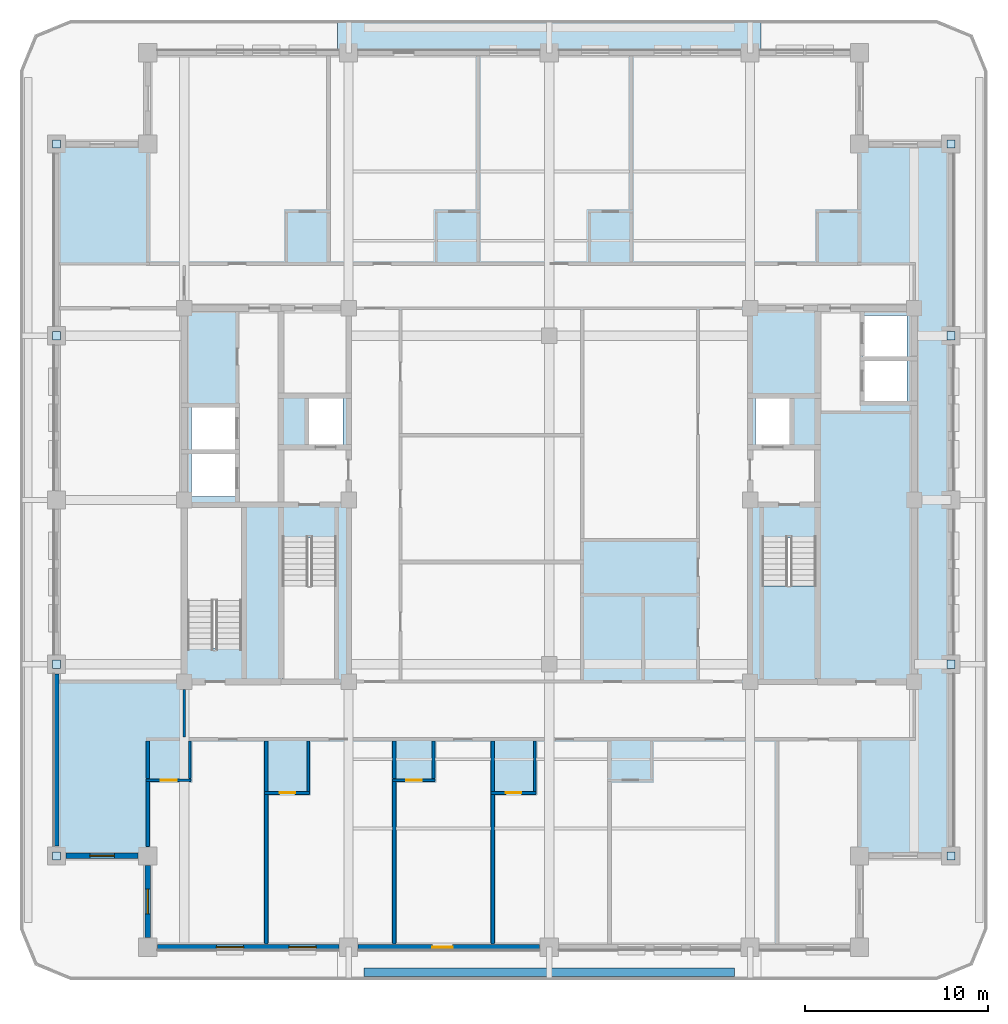
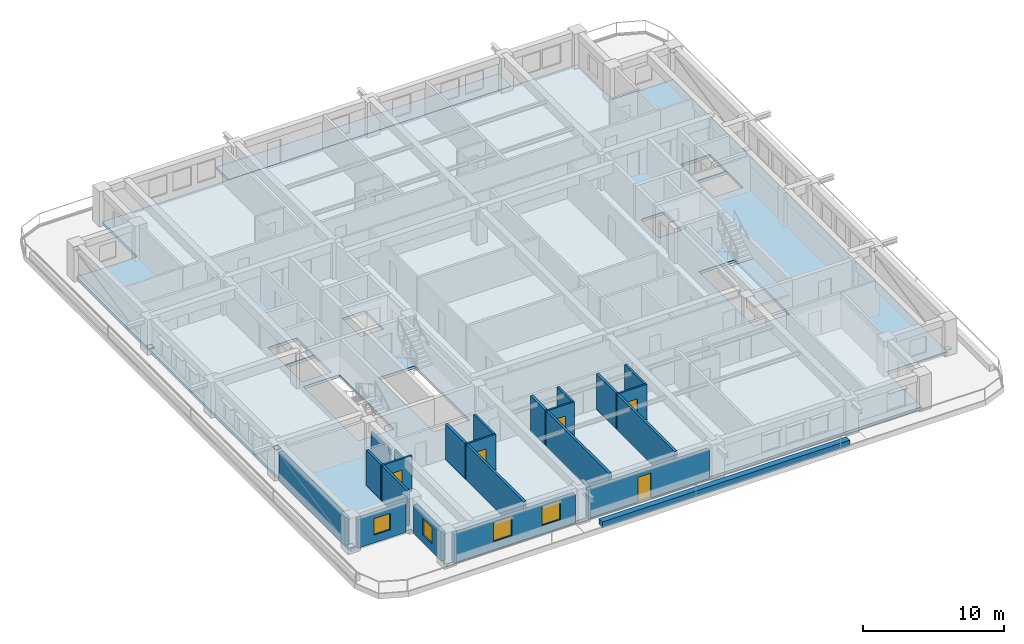
# One storey, part 2 of 14: 23 walls, 8 plates, 5 doors, 4 windows, 3 slabs, 9 openings, 1 element without a shape of its own.
"""IFC4 building model written with IfcOpenShell, lengths in metres."""

from ifc_helpers import new_model, si_unit, direction, frame, frame_2d, origin, origin_2d, place, context, subcontext, project, spatial, polyline, rectangle, outline, extrude, material, layer, layer_set, type_object, element, fill, aggregate, save


model = new_model("IFC4")

# Units and contexts
model_context = context("Model", 3, precision=1e-05, world=origin(), true_north=direction((0.0, 1.0)))
body_context = subcontext(model_context, "Body", "Model", "MODEL_VIEW")
ifc_project = project(units=[si_unit("LENGTHUNIT", "METRE"), si_unit("AREAUNIT", "SQUARE_METRE"), si_unit("VOLUMEUNIT", "CUBIC_METRE"), si_unit("PLANEANGLEUNIT", "RADIAN"), si_unit("MASSUNIT", "GRAM", prefix="KILO")], contexts=[model_context])

# Site, building, storey
site_placement = place(None, origin())
site = spatial("IfcSite", under=ifc_project, at=site_placement, CompositionType="ELEMENT")
building_placement = place(site_placement, origin())
building = spatial("IfcBuilding", under=site, at=building_placement, Name="Zulmaris Gate Convention Tower", CompositionType="ELEMENT")
storey_placement = place(building_placement, frame((0.0, 0.0, 208.4599609375)))
storey = spatial("IfcBuildingStorey", under=building, at=storey_placement, Name="L54", CompositionType="ELEMENT", Elevation=208.4599609375)

# Plates
ifc_material_1 = material(Name="Steel S460", Category="steel")
ifc_layer_1 = layer(ifc_material_1, 0.02490234375, Name="Steel S460")
ifc_layer_set_1 = layer_set([ifc_layer_1], Name="Steel S460")
plate_type = type_object("IfcPlateType", Name="NP-CAP-440", PredefinedType="USERDEFINED", material=ifc_layer_set_1)
for number, where, z_axis, x_axis, name in (
    (1, (-27.0, -19.5, 0.28759765625), (0.0, 0.0, 1.0), (1.0, 0.0, 0.0), "L54 Steel Node Plate PBR-L54-SW-W-CAP"),
    (2, (-27.0, -9.0, 2.4423828125), (0.0, 0.0, 1.0), (1.0, 0.0, 0.0), "L54 Steel Node Plate PBR-L54-SW-W-CAPB"),
    (3, (-27.0, 9.0, 0.28759765625), (0.0, 0.0, 1.0), (1.0, 0.0, 0.0), "L54 Steel Node Plate PBR-L54-NW-W-CAP"),
    (4, (-27.0, 19.5, 2.4423828125), (0.0, 0.0, 1.0), (1.0, 0.0, 0.0), "L54 Steel Node Plate PBR-L54-NW-W-CAPB"),
    (5, (22.0, -19.5, 0.28759765625), (0.0, 0.0, 1.0), (1.0, 0.0, 0.0), "L54 Steel Node Plate PBR-L54-SE-E-CAP"),
    (6, (22.0, -9.0, 2.4423828125), (0.0, 0.0, 1.0), (1.0, 0.0, 0.0), "L54 Steel Node Plate PBR-L54-SE-E-CAPB"),
    (7, (22.0, 9.0, 0.28759765625), (0.0, 0.0, 1.0), (1.0, 0.0, 0.0), "L54 Steel Node Plate PBR-L54-NE-E-CAP"),
    (8, (22.0, 19.5, 2.4423828125), (0.0, 0.0, 1.0), (1.0, 0.0, 0.0), "L54 Steel Node Plate PBR-L54-NE-E-CAPB"),
):
    element("IfcPlate", number, at=place(storey_placement, frame(where, z_axis=z_axis, x_axis=x_axis)), inside=storey, type_object=plate_type, Name=name, ObjectType="FLANGE PLATE", PredefinedType="USERDEFINED", context=body_context, shape_type="SweptSolid", body=[
        extrude(rectangle(XDim=0.43994140625, YDim=0.43994140625, at=origin_2d()), origin(), (0.0, 0.0, 1.0), 0.02490234375),
    ])

# Slabs
ifc_material_2 = material(Name="Precast concrete C50/60", Category="concrete")
ifc_layer_2 = layer(ifc_material_2, 0.260009765625, Name="Precast concrete C50/60")
ifc_layer_set_2 = layer_set([ifc_layer_2], Name="Precast concrete C50/60")
slab_type_1 = type_object("IfcSlabType", Name="SL-BAL-260", PredefinedType="FLOOR", material=ifc_layer_set_2)
slab_1_placement = place(storey_placement, frame((0.0, 0.0, -0.25)))
element("IfcSlab", 9, at=slab_1_placement, inside=storey, type_object=slab_type_1, Name="L54 North Tree-Balcony Planter Slab", PredefinedType="FLOOR", context=body_context, shape_type="SweptSolid", body=[
    extrude(outline(polyline([(11.597900390625, 26.300048828125), (11.597900390625, 24.5), (-11.597900390625, 24.5), (-11.597900390625, 26.300048828125), (11.597900390625, 26.300048828125)])), origin(), (0.0, 0.0, 1.0), 0.260009765625),
])
ifc_material_3 = material(Name="Concrete C50/60", Category="concrete")
ifc_layer_3 = layer(ifc_material_3, 0.25, Name="Concrete C50/60")
ifc_layer_set_3 = layer_set([ifc_layer_3], Name="Concrete C50/60")
slab_type_2 = type_object("IfcSlabType", Name="SL-FLR-250", PredefinedType="FLOOR", material=ifc_layer_set_3)
slab_2_placement = place(storey_placement, frame((0.0, 0.0, -0.25)))
element("IfcSlab", 10, at=slab_2_placement, inside=storey, type_object=slab_type_2, Name="L54 Shifted Notched-Square Structural Floor Slab", PredefinedType="FLOOR", context=body_context, shape_type="SweptSolid", body=[
    extrude(outline(polyline([(-22.0, -24.5), (17.0, -24.5), (17.0, -19.5), (22.0, -19.5), (22.0, 19.5), (17.0, 19.5), (17.0, 24.5), (-22.0, 24.5), (-22.0, 19.5), (-27.0, 19.5), (-27.0, -19.5), (-22.0, -19.5), (-22.0, -24.5)]), holes=[polyline([(-14.6201171875, -2.080078125), (-14.6201171875, -9.85009765625), (-11.659912109375, -9.85009765625), (-11.659912109375, -2.080078125), (-14.6201171875, -2.080078125)]), polyline([(11.659912109375, -2.080078125), (11.659912109375, -9.85009765625), (14.6201171875, -9.85009765625), (14.6201171875, -2.080078125), (11.659912109375, -2.080078125)]), polyline([(-16.860107421875, -8.1201171875), (-16.860107421875, -0.35009765625), (-19.820068359375, -0.35009765625), (-19.820068359375, -8.1201171875), (-16.860107421875, -8.1201171875)]), polyline([(-13.199951171875, 3.0), (-11.300048828125, 3.0), (-11.300048828125, 5.60009765625), (-13.199951171875, 5.60009765625), (-13.199951171875, 3.0)]), polyline([(11.300048828125, 3.0), (13.199951171875, 3.0), (13.199951171875, 5.60009765625), (11.300048828125, 5.60009765625), (11.300048828125, 3.0)]), polyline([(17.199951171875, 5.39990234375), (19.60009765625, 5.39990234375), (19.60009765625, 7.699951171875), (17.199951171875, 7.699951171875), (17.199951171875, 5.39990234375)]), polyline([(17.199951171875, 7.800048828125), (19.60009765625, 7.800048828125), (19.60009765625, 10.10009765625), (17.199951171875, 10.10009765625), (17.199951171875, 7.800048828125)]), polyline([(-19.60009765625, 0.199951171875), (-17.199951171875, 0.199951171875), (-17.199951171875, 2.60009765625), (-19.60009765625, 2.60009765625), (-19.60009765625, 0.199951171875)]), polyline([(-19.60009765625, 2.699951171875), (-17.199951171875, 2.699951171875), (-17.199951171875, 5.10009765625), (-19.60009765625, 5.10009765625), (-19.60009765625, 2.699951171875)])]), origin(), (0.0, 0.0, 1.0), 0.25),
])

# Stair, slab
ifc_material_4 = material(Name="Concrete C45/55", Category="concrete")
stair_type = type_object("IfcStairType", Name="ST-CORE-DOGLEG", PredefinedType="HALF_TURN_STAIR", material=ifc_material_4)
stair_placement = place(storey_placement, origin())
stair = element("IfcStair", 11, at=stair_placement, inside=storey, type_object=stair_type, Name="L54 Core Exit Stair ST-2", PredefinedType="HALF_TURN_STAIR")
ifc_layer_4 = layer(ifc_material_4, 0.199951171875, Name="Concrete C45/55")
ifc_layer_set_4 = layer_set([ifc_layer_4], Name="Concrete C45/55")
slab_type_3 = type_object("IfcSlabType", Name="SL-LND-200", PredefinedType="LANDING", material=ifc_layer_set_4)
slab_3_placement = place(storey_placement, frame((0.0, 0.0, 1.5)))
slab_3 = element("IfcSlab", 12, at=slab_3_placement, type_object=slab_type_3, Name="ST-2 landing 1", PredefinedType="LANDING", context=body_context, shape_type="SweptSolid", body=[
    extrude(outline(polyline([(11.659912109375, -4.699951171875), (11.659912109375, -9.85009765625), (14.6201171875, -9.85009765625), (14.6201171875, -4.699951171875), (11.659912109375, -4.699951171875)])), origin(), (0.0, 0.0, 1.0), 0.199951171875),
])
aggregate(stair, [slab_3])

# Wall, opening, door
ifc_material_5 = material(Name="Gypsum Metal Stud Partition")
ifc_layer_5 = layer(ifc_material_5, 0.14990234375, Name="Gypsum Metal Stud Partition")
ifc_layer_set_5 = layer_set([ifc_layer_5], Name="Gypsum Metal Stud Partition")
wall_type_1 = type_object("IfcWallType", Name="PART-150", PredefinedType="PARTITIONING", material=ifc_layer_set_5)
wall_1_placement = place(storey_placement, frame((-15.60009765625, -16.050048828125, 0.0), z_axis=(0.0, 0.0, 1.0), x_axis=(1.0, 0.0, 0.0)))
wall_1 = element("IfcWall", 13, at=wall_1_placement, inside=storey, type_object=wall_type_1, Name="WL-L54-019", PredefinedType="PARTITIONING", context=body_context, shape_type="SweptSolid", body=[
    extrude(rectangle(XDim=2.47509765625, YDim=0.14990234375, at=frame_2d((1.237548828125, 0.0))), origin(), (0.0, 0.0, 1.0), 3.074951171875),
])
opening_1_placement = place(wall_1_placement, frame((0.824951171875, 0.0, 0.0)))
opening_1 = element("IfcOpeningElement", 14, at=opening_1_placement, cuts=wall_1, Name="Opening D-17", PredefinedType="OPENING", context=body_context, shape_type="SweptSolid", body=[
    extrude(rectangle(XDim=0.85009765625, YDim=2.10009765625, at=frame_2d((0.425048828125, 1.050048828125))), frame((0.0, 0.0849609375, 0.0), z_axis=(0.0, -1.0, 0.0), x_axis=(1.0, 0.0, 0.0)), (0.0, 0.0, 1.0), 0.169921875),
])
ifc_material_6 = material(Name="Moisture-Resistant Hardwood Timber", Category="wood")
door_type_1 = type_object("IfcDoorType", Name="DR-850", OperationType="NOTDEFINED", PredefinedType="DOOR", material=ifc_material_6)
door_1_placement = place(opening_1_placement, origin())
door_1 = element("IfcDoor", 15, at=door_1_placement, inside=storey, type_object=door_type_1, Name="L54 En-Suite Door 33", OperationType="SINGLE_SWING_RIGHT", OverallHeight=2.10009765625, OverallWidth=0.85009765625, PredefinedType="DOOR", context=body_context, shape_type="SweptSolid", body=[
    extrude(rectangle(XDim=0.85009765625, YDim=2.10009765625, at=frame_2d((0.425048828125, 1.050048828125))), frame((0.0, 0.02490234375, 0.0), z_axis=(0.0, -1.0, 0.0), x_axis=(1.0, 0.0, 0.0)), (0.0, 0.0, 1.0), 0.050048828125),
])
fill(opening_1, door_1)

wall_2_placement = place(storey_placement, frame((-3.199951171875, -16.050048828125, 0.0), z_axis=(0.0, 0.0, 1.0), x_axis=(1.0, 0.0, 0.0)))
wall_2 = element("IfcWall", 16, at=wall_2_placement, inside=storey, type_object=wall_type_1, Name="WL-L54-020", PredefinedType="PARTITIONING", context=body_context, shape_type="SweptSolid", body=[
    extrude(rectangle(XDim=2.474853515625, YDim=0.14990234375, at=frame_2d((1.2373046875, 0.0))), origin(), (0.0, 0.0, 1.0), 3.074951171875),
])
opening_2_placement = place(wall_2_placement, frame((0.824951171875, 0.0, 0.0)))
opening_2 = element("IfcOpeningElement", 17, at=opening_2_placement, cuts=wall_2, Name="Opening D-17", PredefinedType="OPENING", context=body_context, shape_type="SweptSolid", body=[
    extrude(rectangle(XDim=0.85009765625, YDim=2.10009765625, at=frame_2d((0.425048828125, 1.050048828125))), frame((0.0, 0.0849609375, 0.0), z_axis=(0.0, -1.0, 0.0), x_axis=(1.0, 0.0, 0.0)), (0.0, 0.0, 1.0), 0.169921875),
])
door_2_placement = place(opening_2_placement, origin())
door_2 = element("IfcDoor", 18, at=door_2_placement, inside=storey, type_object=door_type_1, Name="L54 En-Suite Door 37", OperationType="SINGLE_SWING_RIGHT", OverallHeight=2.10009765625, OverallWidth=0.85009765625, PredefinedType="DOOR", context=body_context, shape_type="SweptSolid", body=[
    extrude(rectangle(XDim=0.85009765625, YDim=2.10009765625, at=frame_2d((0.425048828125, 1.050048828125))), frame((0.0, 0.02490234375, 0.0), z_axis=(0.0, -1.0, 0.0), x_axis=(1.0, 0.0, 0.0)), (0.0, 0.0, 1.0), 0.050048828125),
])
fill(opening_2, door_2)

wall_3_placement = place(storey_placement, frame((-22.10009765625, -15.35009765625, 0.0), z_axis=(0.0, 0.0, 1.0), x_axis=(1.0, 0.0, 0.0)))
wall_3 = element("IfcWall", 19, at=wall_3_placement, inside=storey, type_object=wall_type_1, Name="WL-L54-021", PredefinedType="PARTITIONING", context=body_context, shape_type="SweptSolid", body=[
    extrude(rectangle(XDim=2.47509765625, YDim=0.14990234375, at=frame_2d((1.237548828125, 0.0))), origin(), (0.0, 0.0, 1.0), 3.074951171875),
])
opening_3_placement = place(wall_3_placement, frame((0.824951171875, 0.0, 0.0)))
opening_3 = element("IfcOpeningElement", 20, at=opening_3_placement, cuts=wall_3, Name="Opening D-17", PredefinedType="OPENING", context=body_context, shape_type="SweptSolid", body=[
    extrude(rectangle(XDim=0.85009765625, YDim=2.10009765625, at=frame_2d((0.425048828125, 1.050048828125))), frame((0.0, 0.0849609375, 0.0), z_axis=(0.0, -1.0, 0.0), x_axis=(1.0, 0.0, 0.0)), (0.0, 0.0, 1.0), 0.169921875),
])
door_3_placement = place(opening_3_placement, origin())
door_3 = element("IfcDoor", 21, at=door_3_placement, inside=storey, type_object=door_type_1, Name="L54 En-Suite Door 31", OperationType="SINGLE_SWING_RIGHT", OverallHeight=2.10009765625, OverallWidth=0.85009765625, PredefinedType="DOOR", context=body_context, shape_type="SweptSolid", body=[
    extrude(rectangle(XDim=0.85009765625, YDim=2.10009765625, at=frame_2d((0.425048828125, 1.050048828125))), frame((0.0, 0.02490234375, 0.0), z_axis=(0.0, -1.0, 0.0), x_axis=(1.0, 0.0, 0.0)), (0.0, 0.0, 1.0), 0.050048828125),
])
fill(opening_3, door_3)

wall_4_placement = place(storey_placement, frame((-8.60009765625, -15.35009765625, 0.0), z_axis=(0.0, 0.0, 1.0), x_axis=(1.0, 0.0, 0.0)))
wall_4 = element("IfcWall", 22, at=wall_4_placement, inside=storey, type_object=wall_type_1, Name="WL-L54-022", PredefinedType="PARTITIONING", context=body_context, shape_type="SweptSolid", body=[
    extrude(rectangle(XDim=2.335205078125, YDim=0.14990234375, at=frame_2d((1.16748046875, 0.0))), origin(), (0.0, 0.0, 1.0), 3.074951171875),
])
opening_4_placement = place(wall_4_placement, frame((0.7548828125, 0.0, 0.0)))
opening_4 = element("IfcOpeningElement", 23, at=opening_4_placement, cuts=wall_4, Name="Opening D-17", PredefinedType="OPENING", context=body_context, shape_type="SweptSolid", body=[
    extrude(rectangle(XDim=0.85009765625, YDim=2.10009765625, at=frame_2d((0.425048828125, 1.050048828125))), frame((0.0, 0.0849609375, 0.0), z_axis=(0.0, -1.0, 0.0), x_axis=(1.0, 0.0, 0.0)), (0.0, 0.0, 1.0), 0.169921875),
])
door_4_placement = place(opening_4_placement, origin())
door_4 = element("IfcDoor", 24, at=door_4_placement, inside=storey, type_object=door_type_1, Name="L54 En-Suite Door 35", OperationType="SINGLE_SWING_RIGHT", OverallHeight=2.10009765625, OverallWidth=0.85009765625, PredefinedType="DOOR", context=body_context, shape_type="SweptSolid", body=[
    extrude(rectangle(XDim=0.85009765625, YDim=2.10009765625, at=frame_2d((0.425048828125, 1.050048828125))), frame((0.0, 0.02490234375, 0.0), z_axis=(0.0, -1.0, 0.0), x_axis=(1.0, 0.0, 0.0)), (0.0, 0.0, 1.0), 0.050048828125),
])
fill(opening_4, door_4)

# Walls
wall_5_placement = place(storey_placement, frame((-20.0, -12.9970703125, 0.0), z_axis=(0.0, 0.0, 1.0), x_axis=(0.0, 1.0, 0.0)))
element("IfcWall", 25, at=wall_5_placement, inside=storey, type_object=wall_type_1, Name="WL-L54-077", PredefinedType="PARTITIONING", context=body_context, shape_type="SweptSolid", body=[
    extrude(rectangle(XDim=2.615966796875, YDim=0.14990234375, at=frame_2d((1.30810546875, 0.0))), origin(), (0.0, 0.0, 1.0), 2.266845703125),
])
wall_6_placement = place(storey_placement, frame((-19.699951171875, -15.27197265625, 0.0), z_axis=(0.0, 0.0, 1.0), x_axis=(0.0, 1.0, 0.0)))
element("IfcWall", 26, at=wall_6_placement, inside=storey, type_object=wall_type_1, Name="WL-L54-079", PredefinedType="PARTITIONING", context=body_context, shape_type="SweptSolid", body=[
    extrude(rectangle(XDim=2.069091796875, YDim=0.14990234375, at=frame_2d((1.03466796875, 0.0))), origin(), (0.0, 0.0, 1.0), 2.266845703125),
])
wall_7_placement = place(storey_placement, frame((-13.199951171875, -15.971923828125, 0.0), z_axis=(0.0, 0.0, 1.0), x_axis=(0.0, 1.0, 0.0)))
element("IfcWall", 27, at=wall_7_placement, inside=storey, type_object=wall_type_1, Name="WL-L54-084", PredefinedType="PARTITIONING", context=body_context, shape_type="SweptSolid", body=[
    extrude(rectangle(XDim=2.76904296875, YDim=0.14990234375, at=frame_2d((1.384521484375, 0.0))), origin(), (0.0, 0.0, 1.0), 3.074951171875),
])
wall_8_placement = place(storey_placement, frame((-6.340087890625, -15.27197265625, 0.0), z_axis=(0.0, 0.0, 1.0), x_axis=(0.0, 1.0, 0.0)))
element("IfcWall", 28, at=wall_8_placement, inside=storey, type_object=wall_type_1, Name="WL-L54-092", PredefinedType="PARTITIONING", context=body_context, shape_type="SweptSolid", body=[
    extrude(rectangle(XDim=2.069091796875, YDim=0.14990234375, at=frame_2d((1.03466796875, 0.0))), origin(), (0.0, 0.0, 1.0), 3.074951171875),
])
wall_9_placement = place(storey_placement, frame((-0.800048828125, -15.971923828125, 0.0), z_axis=(0.0, 0.0, 1.0), x_axis=(0.0, 1.0, 0.0)))
element("IfcWall", 29, at=wall_9_placement, inside=storey, type_object=wall_type_1, Name="WL-L54-098", PredefinedType="PARTITIONING", context=body_context, shape_type="SweptSolid", body=[
    extrude(rectangle(XDim=2.76904296875, YDim=0.14990234375, at=frame_2d((1.384521484375, 0.0))), origin(), (0.0, 0.0, 1.0), 3.074951171875),
])
ifc_material_7 = material(Name="Autoclaved Aerated Concrete Block and Plasterboard", Category="concrete")
ifc_layer_6 = layer(ifc_material_7, 0.199951171875, Name="Autoclaved Aerated Concrete Block and Plasterboard")
ifc_layer_set_6 = layer_set([ifc_layer_6], Name="Autoclaved Aerated Concrete Block and Plasterboard")
wall_type_2 = type_object("IfcWallType", Name="PART-200", PredefinedType="PARTITIONING", material=ifc_layer_set_6)
wall_10_placement = place(storey_placement, frame((-22.0, -18.993896484375, 0.0), z_axis=(0.0, 0.0, 1.0), x_axis=(0.0, 1.0, 0.0)))
element("IfcWall", 30, at=wall_10_placement, inside=storey, type_object=wall_type_2, Name="WL-L54-074", PredefinedType="PARTITIONING", context=body_context, shape_type="SweptSolid", body=[
    extrude(rectangle(XDim=3.56591796875, YDim=0.199951171875, at=frame_2d((1.782958984375, 0.0))), origin(), (0.0, 0.0, 1.0), 3.074951171875),
])
wall_11_placement = place(storey_placement, frame((-22.0, -15.27197265625, 0.0), z_axis=(0.0, 0.0, 1.0), x_axis=(0.0, 1.0, 0.0)))
element("IfcWall", 31, at=wall_11_placement, inside=storey, type_object=wall_type_2, Name="WL-L54-075", PredefinedType="PARTITIONING", context=body_context, shape_type="SweptSolid", body=[
    extrude(rectangle(XDim=2.069091796875, YDim=0.199951171875, at=frame_2d((1.03466796875, 0.0))), origin(), (0.0, 0.0, 1.0), 3.074951171875),
])
wall_12_placement = place(storey_placement, frame((-15.5, -24.3349609375, 0.0), z_axis=(0.0, 0.0, 1.0), x_axis=(0.0, 1.0, 0.0)))
element("IfcWall", 32, at=wall_12_placement, inside=storey, type_object=wall_type_2, Name="WL-L54-081", PredefinedType="PARTITIONING", context=body_context, shape_type="SweptSolid", body=[
    extrude(rectangle(XDim=8.20703125, YDim=0.199951171875, at=frame_2d((4.103515625, 0.0))), origin(), (0.0, 0.0, 1.0), 3.074951171875),
])
wall_13_placement = place(storey_placement, frame((-15.5, -15.971923828125, 0.0), z_axis=(0.0, 0.0, 1.0), x_axis=(0.0, 1.0, 0.0)))
element("IfcWall", 33, at=wall_13_placement, inside=storey, type_object=wall_type_2, Name="WL-L54-082", PredefinedType="PARTITIONING", context=body_context, shape_type="SweptSolid", body=[
    extrude(rectangle(XDim=2.76904296875, YDim=0.199951171875, at=frame_2d((1.384521484375, 0.0))), origin(), (0.0, 0.0, 1.0), 3.074951171875),
])
wall_14_placement = place(storey_placement, frame((-8.5, -24.3349609375, 0.0), z_axis=(0.0, 0.0, 1.0), x_axis=(0.0, 1.0, 0.0)))
element("IfcWall", 34, at=wall_14_placement, inside=storey, type_object=wall_type_2, Name="WL-L54-087", PredefinedType="PARTITIONING", context=body_context, shape_type="SweptSolid", body=[
    extrude(rectangle(XDim=8.906982421875, YDim=0.199951171875, at=frame_2d((4.45361328125, 0.0))), origin(), (0.0, 0.0, 1.0), 3.074951171875),
])
wall_15_placement = place(storey_placement, frame((-8.5, -15.27197265625, 0.0), z_axis=(0.0, 0.0, 1.0), x_axis=(0.0, 1.0, 0.0)))
element("IfcWall", 35, at=wall_15_placement, inside=storey, type_object=wall_type_2, Name="WL-L54-088", PredefinedType="PARTITIONING", context=body_context, shape_type="SweptSolid", body=[
    extrude(rectangle(XDim=2.069091796875, YDim=0.199951171875, at=frame_2d((1.03466796875, 0.0))), origin(), (0.0, 0.0, 1.0), 3.074951171875),
])
wall_16_placement = place(storey_placement, frame((-3.10009765625, -24.3349609375, 0.0), z_axis=(0.0, 0.0, 1.0), x_axis=(0.0, 1.0, 0.0)))
element("IfcWall", 36, at=wall_16_placement, inside=storey, type_object=wall_type_2, Name="WL-L54-096", PredefinedType="PARTITIONING", context=body_context, shape_type="SweptSolid", body=[
    extrude(rectangle(XDim=8.20703125, YDim=0.199951171875, at=frame_2d((4.103515625, 0.0))), origin(), (0.0, 0.0, 1.0), 3.074951171875),
])
wall_17_placement = place(storey_placement, frame((-3.10009765625, -15.971923828125, 0.0), z_axis=(0.0, 0.0, 1.0), x_axis=(0.0, 1.0, 0.0)))
element("IfcWall", 37, at=wall_17_placement, inside=storey, type_object=wall_type_2, Name="WL-L54-097", PredefinedType="PARTITIONING", context=body_context, shape_type="SweptSolid", body=[
    extrude(rectangle(XDim=2.76904296875, YDim=0.199951171875, at=frame_2d((1.384521484375, 0.0))), origin(), (0.0, 0.0, 1.0), 3.074951171875),
])
ifc_material_8 = material(Name="Botanical Green Glazed Precast Concrete C40/50", Category="concrete")
ifc_layer_7 = layer(ifc_material_8, 0.419921875, Name="Botanical Green Glazed Precast Concrete C40/50")
ifc_layer_set_7 = layer_set([ifc_layer_7], Name="Botanical Green Glazed Precast Concrete C40/50")
wall_type_3 = type_object("IfcWallType", Name="PLANTER-CURB-200", PredefinedType="PARAPET", material=ifc_layer_set_7)
wall_18_placement = place(storey_placement, frame((-10.14990234375, -25.8798828125, -0.0400390625), z_axis=(0.0, 0.0, 1.0), x_axis=(1.0, 0.0, 0.0)))
element("IfcWall", 38, at=wall_18_placement, inside=storey, type_object=wall_type_3, Name="L54 Full-Length Balcony Tree Planter Trough", PredefinedType="PARAPET", context=body_context, shape_type="SweptSolid", body=[
    extrude(rectangle(XDim=20.2998046875, YDim=0.47998046875, at=frame_2d((10.14990234375, 0.0))), origin(), (0.0, 0.0, 1.0), 0.52001953125),
])

# Wall, opening, window
ifc_material_9 = material(Name="Precast concrete C40/50", Category="concrete")
ifc_layer_8 = layer(ifc_material_9, 0.300048828125, Name="Precast concrete C40/50")
ifc_layer_set_8 = layer_set([ifc_layer_8], Name="Precast concrete C40/50")
wall_type_4 = type_object("IfcWallType", Name="PRECAST-PIER-300", PredefinedType="STANDARD", material=ifc_layer_set_8)
wall_19_placement = place(storey_placement, frame((-26.469970703125, -19.5, 0.0), z_axis=(0.0, 0.0, 1.0), x_axis=(1.0, 0.0, 0.0)))
wall_19 = element("IfcWall", 39, at=wall_19_placement, inside=storey, type_object=wall_type_4, Name="EW-L54-NOTCH-SW1_0", PredefinedType="STANDARD", context=body_context, shape_type="SweptSolid", body=[
    extrude(rectangle(XDim=3.93994140625, YDim=0.300048828125, at=frame_2d((1.969970703125, 0.0))), origin(), (0.0, 0.0, 1.0), 2.467041015625),
])
opening_5_placement = place(wall_19_placement, frame((1.294921875, 0.0, 0.679931640625)))
opening_5 = element("IfcOpeningElement", 40, at=opening_5_placement, cuts=wall_19, Name="Opening W-10", PredefinedType="OPENING", context=body_context, shape_type="SweptSolid", body=[
    extrude(rectangle(XDim=1.35009765625, YDim=1.419921875, at=frame_2d((0.675048828125, 0.7099609375))), frame((0.0, 0.16015625, 0.0), z_axis=(0.0, -1.0, 0.0), x_axis=(1.0, 0.0, 0.0)), (0.0, 0.0, 1.0), 0.320068359375),
])
ifc_material_10 = material(Name="Low-E Laminated Double Glazing in Aluminium Frame", Category="aluminium")
window_type_1 = type_object("IfcWindowType", Name="WIN-1350x2000", PartitioningType="SINGLE_PANEL", PredefinedType="WINDOW", material=ifc_material_10)
window_1_placement = place(opening_5_placement, origin())
window_1 = element("IfcWindow", 41, at=window_1_placement, inside=storey, type_object=window_type_1, Name="WN-EW-L54-NOTCH-SW1_0", OverallHeight=1.419921875, OverallWidth=1.35009765625, PartitioningType="SINGLE_PANEL", PredefinedType="WINDOW", context=body_context, shape_type="SweptSolid", body=[
    extrude(rectangle(XDim=1.35009765625, YDim=1.419921875, at=frame_2d((0.675048828125, 0.7099609375))), frame((0.0, 0.030029296875, 0.0), z_axis=(0.0, -1.0, 0.0), x_axis=(1.0, 0.0, 0.0)), (0.0, 0.0, 1.0), 0.06005859375),
])
fill(opening_5, window_1)

wall_20_placement = place(storey_placement, frame((-22.0, -20.030029296875, 0.0), z_axis=(0.0, 0.0, 1.0), x_axis=(0.0, -1.0, 0.0)))
wall_20 = element("IfcWall", 42, at=wall_20_placement, inside=storey, type_object=wall_type_4, Name="EW-L54-NOTCH-SW2_0", PredefinedType="STANDARD", context=body_context, shape_type="SweptSolid", body=[
    extrude(rectangle(XDim=3.93994140625, YDim=0.300048828125, at=frame_2d((1.969970703125, 0.0))), origin(), (0.0, 0.0, 1.0), 2.467041015625),
])
opening_6_placement = place(wall_20_placement, frame((1.294921875, 0.0, 0.679931640625)))
opening_6 = element("IfcOpeningElement", 43, at=opening_6_placement, cuts=wall_20, Name="Opening W-10", PredefinedType="OPENING", context=body_context, shape_type="SweptSolid", body=[
    extrude(rectangle(XDim=1.35009765625, YDim=1.419921875, at=frame_2d((0.675048828125, 0.7099609375))), frame((0.0, 0.16015625, 0.0), z_axis=(0.0, -1.0, 0.0), x_axis=(1.0, 0.0, 0.0)), (0.0, 0.0, 1.0), 0.320068359375),
])
window_2_placement = place(opening_6_placement, origin())
window_2 = element("IfcWindow", 44, at=window_2_placement, inside=storey, type_object=window_type_1, Name="WN-EW-L54-NOTCH-SW2_0", OverallHeight=1.419921875, OverallWidth=1.35009765625, PartitioningType="SINGLE_PANEL", PredefinedType="WINDOW", context=body_context, shape_type="SweptSolid", body=[
    extrude(rectangle(XDim=1.35009765625, YDim=1.419921875, at=frame_2d((0.675048828125, 0.7099609375))), frame((0.0, 0.030029296875, 0.0), z_axis=(0.0, -1.0, 0.0), x_axis=(1.0, 0.0, 0.0)), (0.0, 0.0, 1.0), 0.06005859375),
])
fill(opening_6, window_2)

# Wall, openings, windows
wall_21_placement = place(storey_placement, frame((-21.469970703125, -24.5, 0.0), z_axis=(0.0, 0.0, 1.0), x_axis=(1.0, 0.0, 0.0)))
wall_21 = element("IfcWall", 45, at=wall_21_placement, inside=storey, type_object=wall_type_4, Name="EW-L54-S-0_0", PredefinedType="STANDARD", context=body_context, shape_type="SweptSolid", body=[
    extrude(rectangle(XDim=9.93994140625, YDim=0.300048828125, at=frame_2d((4.969970703125, 0.0))), origin(), (0.0, 0.0, 1.0), 2.467041015625),
])
opening_7_placement = place(wall_21_placement, frame((3.22607421875, 0.0, 0.719970703125)))
opening_7 = element("IfcOpeningElement", 46, at=opening_7_placement, cuts=wall_21, Name="Opening W-03", PredefinedType="OPENING", context=body_context, shape_type="SweptSolid", body=[
    extrude(rectangle(XDim=1.5, YDim=1.60009765625, at=frame_2d((0.75, 0.800048828125))), frame((0.0, 0.16015625, 0.0), z_axis=(0.0, -1.0, 0.0), x_axis=(1.0, 0.0, 0.0)), (0.0, 0.0, 1.0), 0.320068359375),
])
opening_8_placement = place(wall_21_placement, frame((7.201904296875, 0.0, 0.719970703125)))
opening_8 = element("IfcOpeningElement", 47, at=opening_8_placement, cuts=wall_21, Name="Opening W-03", PredefinedType="OPENING", context=body_context, shape_type="SweptSolid", body=[
    extrude(rectangle(XDim=1.5, YDim=1.60009765625, at=frame_2d((0.75, 0.800048828125))), frame((0.0, 0.16015625, 0.0), z_axis=(0.0, -1.0, 0.0), x_axis=(1.0, 0.0, 0.0)), (0.0, 0.0, 1.0), 0.320068359375),
])
window_type_2 = type_object("IfcWindowType", Name="WIN-1500x2100", PartitioningType="SINGLE_PANEL", PredefinedType="WINDOW", material=ifc_material_10)
window_3_placement = place(opening_7_placement, origin())
window_3 = element("IfcWindow", 48, at=window_3_placement, inside=storey, type_object=window_type_2, Name="WN-EW-L54-S-0_0-2", OverallHeight=1.60009765625, OverallWidth=1.5, PartitioningType="SINGLE_PANEL", PredefinedType="WINDOW", context=body_context, shape_type="SweptSolid", body=[
    extrude(rectangle(XDim=1.5, YDim=1.60009765625, at=frame_2d((0.75, 0.800048828125))), frame((0.0, 0.030029296875, 0.0), z_axis=(0.0, -1.0, 0.0), x_axis=(1.0, 0.0, 0.0)), (0.0, 0.0, 1.0), 0.06005859375),
])
fill(opening_7, window_3)
window_4_placement = place(opening_8_placement, origin())
window_4 = element("IfcWindow", 49, at=window_4_placement, inside=storey, type_object=window_type_2, Name="WN-EW-L54-S-0_0-4", OverallHeight=1.60009765625, OverallWidth=1.5, PartitioningType="SINGLE_PANEL", PredefinedType="WINDOW", context=body_context, shape_type="SweptSolid", body=[
    extrude(rectangle(XDim=1.5, YDim=1.60009765625, at=frame_2d((0.75, 0.800048828125))), frame((0.0, 0.030029296875, 0.0), z_axis=(0.0, -1.0, 0.0), x_axis=(1.0, 0.0, 0.0)), (0.0, 0.0, 1.0), 0.06005859375),
])
fill(opening_8, window_4)

# Wall, opening, door
wall_22_placement = place(storey_placement, frame((-10.469970703125, -24.5, 0.0), z_axis=(0.0, 0.0, 1.0), x_axis=(1.0, 0.0, 0.0)))
wall_22 = element("IfcWall", 50, at=wall_22_placement, inside=storey, type_object=wall_type_4, Name="EW-L54-S-1_0", PredefinedType="STANDARD", context=body_context, shape_type="SweptSolid", body=[
    extrude(rectangle(XDim=9.93994140625, YDim=0.300048828125, at=frame_2d((4.969970703125, 0.0))), origin(), (0.0, 0.0, 1.0), 2.467041015625),
])
opening_9_placement = place(wall_22_placement, frame((4.068115234375, 0.0, 0.0)))
opening_9 = element("IfcOpeningElement", 51, at=opening_9_placement, cuts=wall_22, Name="Opening D-04", PredefinedType="OPENING", context=body_context, shape_type="SweptSolid", body=[
    extrude(rectangle(XDim=1.10009765625, YDim=2.14990234375, at=frame_2d((0.550048828125, 1.074951171875))), frame((0.0, 0.16015625, 0.0), z_axis=(0.0, -1.0, 0.0), x_axis=(1.0, 0.0, 0.0)), (0.0, 0.0, 1.0), 0.320068359375),
])
ifc_material_11 = material(Name="Anodised Aluminium and Laminated Glass", Category="aluminium")
door_type_2 = type_object("IfcDoorType", Name="ED-1100", OperationType="SINGLE_SWING_RIGHT", PredefinedType="DOOR", material=ifc_material_11)
door_5_placement = place(opening_9_placement, origin())
door_5 = element("IfcDoor", 52, at=door_5_placement, inside=storey, type_object=door_type_2, Name="L54 S Planted Terrace Door", OperationType="SINGLE_SWING_RIGHT", OverallHeight=2.14990234375, OverallWidth=1.10009765625, PredefinedType="DOOR", context=body_context, shape_type="SweptSolid", body=[
    extrude(rectangle(XDim=1.10009765625, YDim=2.14990234375, at=frame_2d((0.550048828125, 1.074951171875))), frame((0.0, 0.02490234375, 0.0), z_axis=(0.0, -1.0, 0.0), x_axis=(1.0, 0.0, 0.0)), (0.0, 0.0, 1.0), 0.050048828125),
])
fill(opening_9, door_5)

# Wall
wall_23_placement = place(storey_placement, frame((-27.0, -9.530029296875, 0.0), z_axis=(0.0, 0.0, 1.0), x_axis=(0.0, -1.0, 0.0)))
element("IfcWall", 53, at=wall_23_placement, inside=storey, type_object=wall_type_4, Name="EW-L54-W-0_0", PredefinedType="STANDARD", context=body_context, shape_type="SweptSolid", body=[
    extrude(rectangle(XDim=9.43994140625, YDim=0.300048828125, at=frame_2d((4.719970703125, 0.0))), origin(), (0.0, 0.0, 1.0), 2.467041015625),
])

save(model, "model.ifc")
